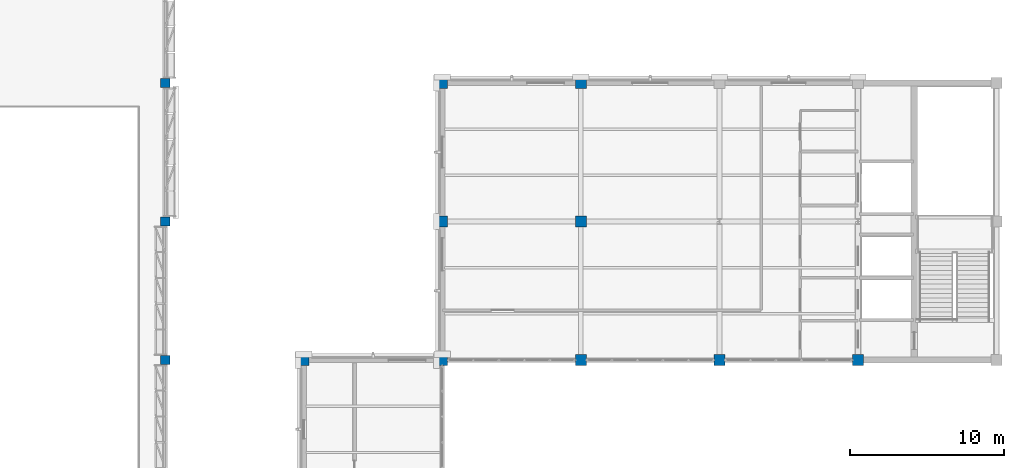
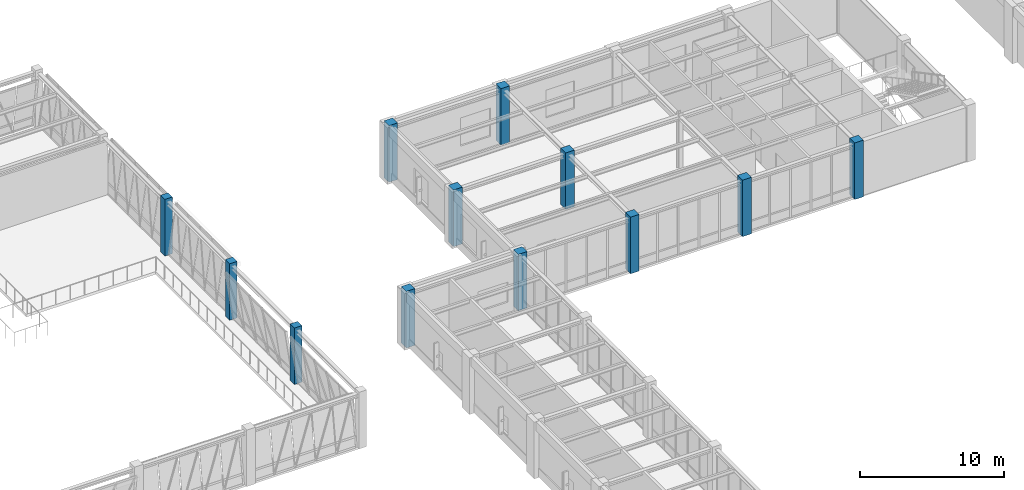
# One storey, part 11 of 98: 12 columns.
"""IFC4 building model written with IfcOpenShell, lengths in metres."""

from ifc_helpers import new_model, si_unit, direction, frame, origin, origin_2d, place, context, subcontext, project, spatial, rectangle, extrude, material, material_profile, profile_set, type_object, element, save


model = new_model("IFC4")

# Units and contexts
model_context = context("Model", 3, precision=1e-05, world=origin(), true_north=direction((0.0, 1.0)))
body_context = subcontext(model_context, "Body", "Model", "MODEL_VIEW")
ifc_project = project(units=[si_unit("LENGTHUNIT", "METRE"), si_unit("AREAUNIT", "SQUARE_METRE"), si_unit("VOLUMEUNIT", "CUBIC_METRE"), si_unit("PLANEANGLEUNIT", "RADIAN"), si_unit("MASSUNIT", "GRAM", prefix="KILO")], contexts=[model_context])

# Site, building, storey
site_placement = place(None, origin())
site = spatial("IfcSite", under=ifc_project, at=site_placement, CompositionType="ELEMENT")
building_placement = place(site_placement, origin())
building = spatial("IfcBuilding", under=site, at=building_placement, Name="Lykobir Media Centre", CompositionType="ELEMENT")
storey_placement = place(building_placement, frame((0.0, 0.0, 10.199951171875)))
storey = spatial("IfcBuildingStorey", under=building, at=storey_placement, Name="L02", CompositionType="ELEMENT", Elevation=10.199951171875)

# Columns
ifc_material = material(Name="Concrete C40/50", Category="concrete")
ifc_material_profile_1 = material_profile(ifc_material, rectangle(XDim=0.60009765625, YDim=0.60009765625, at=origin_2d()), Name="RC 600x600")
ifc_profile_set_1 = profile_set([ifc_material_profile_1], Name="Concrete C40/50")
column_type_1 = type_object("IfcColumnType", Name="RC-C600-E", PredefinedType="COLUMN", material=ifc_profile_set_1)
for number, where, z_axis, x_axis, name in (
    (1, (81.0, 72.0, 0.0), (0.0, 0.0, 1.0), (1.0, 0.0, 0.0), "Column COL-L02-0810-0720"),
    (2, (81.0, 81.0, 0.0), (0.0, 0.0, 1.0), (1.0, 0.0, 0.0), "Column COL-L02-0810-0810"),
    (3, (81.0, 90.0, 0.0), (0.0, 0.0, 1.0), (1.0, 0.0, 0.0), "Column COL-L02-0810-0900"),
):
    element("IfcColumn", number, at=place(storey_placement, frame(where, z_axis=z_axis, x_axis=x_axis)), inside=storey, type_object=column_type_1, Name=name, PredefinedType="COLUMN", context=body_context, shape_type="SweptSolid", body=[
        extrude(rectangle(XDim=0.60009765625, YDim=0.60009765625, at=origin_2d()), origin(), (0.0, 0.0, 1.0), 4.800048828125),
    ])
ifc_material_profile_2 = material_profile(ifc_material, rectangle(XDim=0.699951171875, YDim=0.699951171875, at=origin_2d()), Name="RC 700x700")
ifc_profile_set_2 = profile_set([ifc_material_profile_2], Name="Concrete C40/50")
column_type_2 = type_object("IfcColumnType", Name="RC-C700", PredefinedType="COLUMN", material=ifc_profile_set_2)
for number, where, z_axis, x_axis, name in (
    (4, (99.0, 72.0, 0.0), (0.0, 0.0, 1.0), (1.0, 0.0, 0.0), "Column COL-L02-0990-0720"),
    (5, (99.0, 81.0, 0.0), (0.0, 0.0, 1.0), (1.0, 0.0, 0.0), "Column COL-L02-0990-0810"),
    (6, (99.0, 90.0, 0.0), (0.0, 0.0, 1.0), (1.0, 0.0, 0.0), "Column COL-L02-0990-0900"),
    (7, (108.0, 72.0, 0.0), (0.0, 0.0, 1.0), (1.0, 0.0, 0.0), "Column COL-L02-1080-0720"),
    (8, (108.0, 81.0, 0.0), (0.0, 0.0, 1.0), (1.0, 0.0, 0.0), "Column COL-L02-1080-0810"),
    (9, (108.0, 90.0, 0.0), (0.0, 0.0, 1.0), (1.0, 0.0, 0.0), "Column COL-L02-1080-0900"),
    (10, (117.0, 72.0, 0.0), (0.0, 0.0, 1.0), (1.0, 0.0, 0.0), "Column COL-L02-1170-0720"),
    (11, (126.0, 72.0, 0.0), (0.0, 0.0, 1.0), (1.0, 0.0, 0.0), "Column COL-L02-1260-0720"),
):
    element("IfcColumn", number, at=place(storey_placement, frame(where, z_axis=z_axis, x_axis=x_axis)), inside=storey, type_object=column_type_2, Name=name, PredefinedType="COLUMN", context=body_context, shape_type="SweptSolid", body=[
        extrude(rectangle(XDim=0.699951171875, YDim=0.699951171875, at=origin_2d()), origin(), (0.0, 0.0, 1.0), 4.800048828125),
    ])
ifc_material_profile_3 = material_profile(ifc_material, rectangle(XDim=0.699951171875, YDim=0.699951171875, at=origin_2d()), Name="RC 700x700")
ifc_profile_set_3 = profile_set([ifc_material_profile_3], Name="Concrete C40/50")
column_type_3 = type_object("IfcColumnType", Name="RC-C700-E", PredefinedType="COLUMN", material=ifc_profile_set_3)
column_placement = place(storey_placement, frame((90.0, 72.0, 0.0), z_axis=(0.0, 0.0, 1.0), x_axis=(1.0, 0.0, 0.0)))
element("IfcColumn", 12, at=column_placement, inside=storey, type_object=column_type_3, Name="Column COL-L02-0900-0720", PredefinedType="COLUMN", context=body_context, shape_type="SweptSolid", body=[
    extrude(rectangle(XDim=0.699951171875, YDim=0.699951171875, at=origin_2d()), origin(), (0.0, 0.0, 1.0), 4.800048828125),
])

save(model, "model.ifc")
